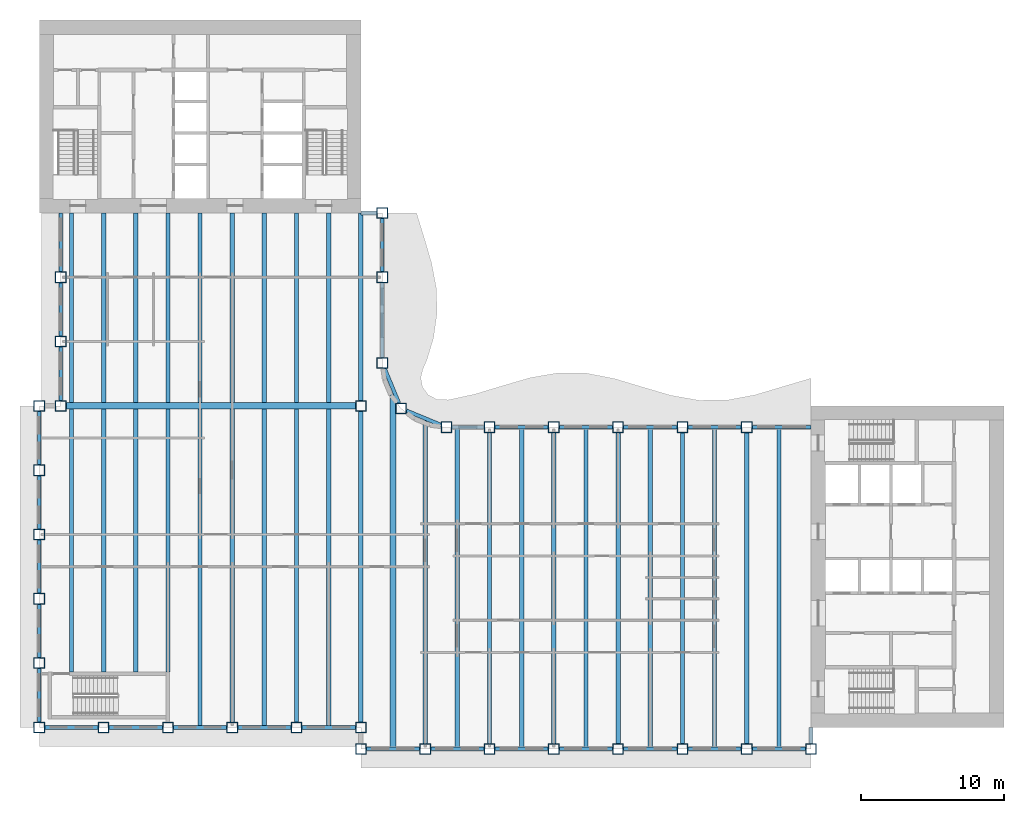
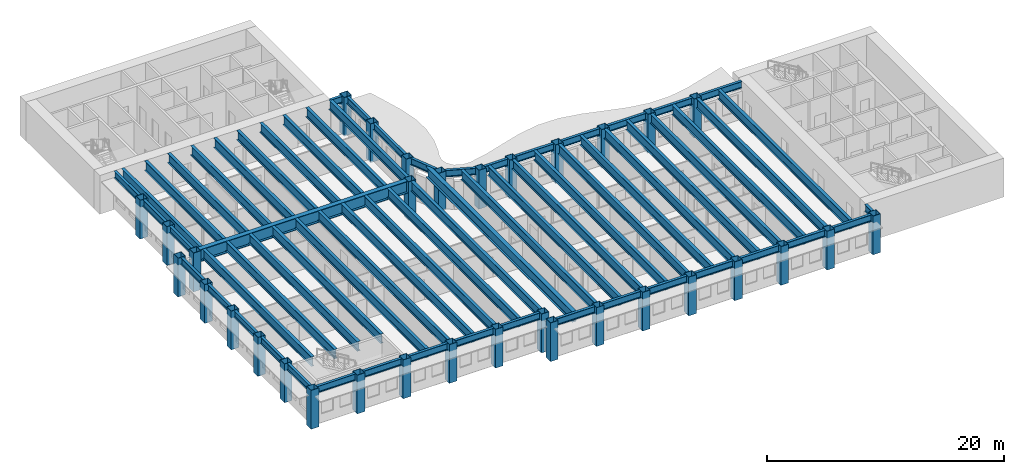
# One storey, part 1 of 16: 66 beams, 33 columns.
"""IFC4 building model written with IfcOpenShell, lengths in metres."""

from ifc_helpers import new_model, si_unit, direction, frame, origin, origin_2d, place, context, subcontext, project, spatial, hollow_rectangle, i_section, extrude, material, material_profile, profile_set, type_object, element, save


model = new_model("IFC4")

# Units and contexts
model_context = context("Model", 3, precision=1e-05, world=origin(), true_north=direction((0.0, 1.0)))
body_context = subcontext(model_context, "Body", "Model", "MODEL_VIEW")
ifc_project = project(units=[si_unit("LENGTHUNIT", "METRE"), si_unit("AREAUNIT", "SQUARE_METRE"), si_unit("VOLUMEUNIT", "CUBIC_METRE"), si_unit("PLANEANGLEUNIT", "RADIAN"), si_unit("MASSUNIT", "GRAM", prefix="KILO")], contexts=[model_context])

# Site, building, storey
site_placement = place(None, origin())
site = spatial("IfcSite", under=ifc_project, at=site_placement, CompositionType="ELEMENT")
building_placement = place(site_placement, origin())
building = spatial("IfcBuilding", under=site, at=building_placement, Name="Sennacour Bend Tower", CompositionType="ELEMENT")
storey_placement = place(building_placement, frame((0.0, 0.0, 207.0)))
storey = spatial("IfcBuildingStorey", under=building, at=storey_placement, Name="L47", CompositionType="ELEMENT", Elevation=207.0)

# Columns
ifc_material_1 = material(Name="Steel ASTM A572 Grade 50", Category="steel")
ifc_material_profile_1 = material_profile(ifc_material_1, hollow_rectangle(XDim=0.75, YDim=0.75, WallThickness=0.035888671875, at=origin_2d()), Name="Steel ASTM A572 Grade 50", Category="steel")
ifc_profile_set_1 = profile_set([ifc_material_profile_1], Name="Steel ASTM A572 Grade 50")
column_type = type_object("IfcColumnType", Name="Box column 750", PredefinedType="COLUMN", material=ifc_profile_set_1)
for number, where, z_axis, x_axis, name in (
    (1, (0.0, 0.0, -0.14990234375), (0.0, 0.0, 1.0), (1.0, 0.0, 0.0), "Perimeter column C4 L47-001"),
    (2, (0.0, 4.5, -0.14990234375), (0.0, 0.0, 1.0), (1.0, 0.0, 0.0), "Perimeter column C4 L47-002"),
    (3, (0.0, 9.0, -0.14990234375), (0.0, 0.0, 1.0), (1.0, 0.0, 0.0), "Perimeter column C4 L47-003"),
    (4, (0.0, 13.5, -0.14990234375), (0.0, 0.0, 1.0), (1.0, 0.0, 0.0), "Perimeter column C4 L47-004"),
    (5, (0.0, 18.0, -0.14990234375), (0.0, 0.0, 1.0), (1.0, 0.0, 0.0), "Perimeter column C4 L47-005"),
    (6, (0.0, 22.5, -0.14990234375), (0.0, 0.0, 1.0), (1.0, 0.0, 0.0), "Perimeter column C4 L47-006"),
    (7, (1.5, 22.5, -0.14990234375), (0.0, 0.0, 1.0), (1.0, 0.0, 0.0), "Perimeter column C4 L47-007"),
    (8, (1.5, 27.0, -0.14990234375), (0.0, 0.0, 1.0), (1.0, 0.0, 0.0), "Perimeter column C4 L47-008"),
    (9, (1.5, 31.5, -0.14990234375), (0.0, 0.0, 1.0), (1.0, 0.0, 0.0), "Perimeter column C4 L47-009"),
    (10, (4.5, 0.0, -0.14990234375), (0.0, 0.0, 1.0), (1.0, 0.0, 0.0), "Perimeter column C4 L47-010"),
    (11, (9.0, 0.0, -0.14990234375), (0.0, 0.0, 1.0), (1.0, 0.0, 0.0), "Perimeter column C4 L47-011"),
    (12, (13.5, 0.0, -0.14990234375), (0.0, 0.0, 1.0), (1.0, 0.0, 0.0), "Perimeter column C4 L47-012"),
    (13, (18.0, 0.0, -0.14990234375), (0.0, 0.0, 1.0), (1.0, 0.0, 0.0), "Perimeter column C4 L47-013"),
    (14, (22.5, -1.5, -0.14990234375), (0.0, 0.0, 1.0), (1.0, 0.0, 0.0), "Perimeter column C4 L47-014"),
    (15, (22.5, 0.0, -0.14990234375), (0.0, 0.0, 1.0), (1.0, 0.0, 0.0), "Perimeter column C4 L47-015"),
    (16, (22.5, 22.5, -0.14990234375), (0.0, 0.0, 1.0), (1.0, 0.0, 0.0), "Knuckle column C4 L47-016"),
    (17, (24.0, 25.5, -0.14990234375), (0.0, 0.0, 1.0), (1.0, 0.0, 0.0), "Perimeter column C4 L47-017"),
    (18, (24.0, 31.5, -0.14990234375), (0.0, 0.0, 1.0), (1.0, 0.0, 0.0), "Perimeter column C4 L47-018"),
    (19, (24.0, 36.0, -0.14990234375), (0.0, 0.0, 1.0), (1.0, 0.0, 0.0), "Perimeter column C4 L47-019"),
    (20, (25.318115234375, 22.318115234375, -0.14990234375), (0.0, 0.0, 1.0), (1.0, 0.0, 0.0), "Perimeter column C4 L47-020"),
    (21, (27.0, -1.5, -0.14990234375), (0.0, 0.0, 1.0), (1.0, 0.0, 0.0), "Perimeter column C4 L47-021"),
    (22, (28.5, 21.0, -0.14990234375), (0.0, 0.0, 1.0), (1.0, 0.0, 0.0), "Perimeter column C4 L47-022"),
    (23, (31.5, -1.5, -0.14990234375), (0.0, 0.0, 1.0), (1.0, 0.0, 0.0), "Perimeter column C4 L47-023"),
    (24, (31.5, 21.0, -0.14990234375), (0.0, 0.0, 1.0), (1.0, 0.0, 0.0), "Perimeter column C4 L47-024"),
    (25, (36.0, -1.5, -0.14990234375), (0.0, 0.0, 1.0), (1.0, 0.0, 0.0), "Perimeter column C4 L47-025"),
    (26, (36.0, 21.0, -0.14990234375), (0.0, 0.0, 1.0), (1.0, 0.0, 0.0), "Perimeter column C4 L47-026"),
    (27, (40.5, -1.5, -0.14990234375), (0.0, 0.0, 1.0), (1.0, 0.0, 0.0), "Perimeter column C4 L47-027"),
    (28, (40.5, 21.0, -0.14990234375), (0.0, 0.0, 1.0), (1.0, 0.0, 0.0), "Perimeter column C4 L47-028"),
    (29, (45.0, -1.5, -0.14990234375), (0.0, 0.0, 1.0), (1.0, 0.0, 0.0), "Perimeter column C4 L47-029"),
    (30, (45.0, 21.0, -0.14990234375), (0.0, 0.0, 1.0), (1.0, 0.0, 0.0), "Perimeter column C4 L47-030"),
    (31, (49.5, -1.5, -0.14990234375), (0.0, 0.0, 1.0), (1.0, 0.0, 0.0), "Perimeter column C4 L47-031"),
    (32, (49.5, 21.0, -0.14990234375), (0.0, 0.0, 1.0), (1.0, 0.0, 0.0), "Perimeter column C4 L47-032"),
    (33, (54.0, -1.5, -0.14990234375), (0.0, 0.0, 1.0), (1.0, 0.0, 0.0), "Perimeter column C4 L47-033"),
):
    element("IfcColumn", number, at=place(storey_placement, frame(where, z_axis=z_axis, x_axis=x_axis)), inside=storey, type_object=column_type, Name=name, PredefinedType="COLUMN", context=body_context, shape_type="SweptSolid", body=[
        extrude(hollow_rectangle(XDim=0.75, YDim=0.75, WallThickness=0.035888671875, at=origin_2d()), origin(), (0.0, 0.0, 1.0), 4.0),
    ])

# Beams
ifc_material_2 = material(Name="Steel ASTM A992 Grade 50", Category="steel")
ifc_material_profile_2 = material_profile(ifc_material_2, i_section(OverallWidth=0.300048828125, OverallDepth=0.97998046875, WebThickness=0.0166015625, FlangeThickness=0.026123046875, FilletRadius=0.02978515625, at=origin_2d()), Name="Steel ASTM A992 Grade 50", Category="steel")
ifc_profile_set_2 = profile_set([ifc_material_profile_2], Name="Steel ASTM A992 Grade 50")
beam_type_1 = type_object("IfcBeamType", Name="Floor beam W1000X249", PredefinedType="BEAM", material=ifc_profile_set_2)
beam_1_placement = place(storey_placement, frame((2.25, 3.875, 3.360107421875), z_axis=(0.0, 1.0, 0.0), x_axis=(-1.0, 0.0, 0.0)))
element("IfcBeam", 34, at=beam_1_placement, inside=storey, type_object=beam_type_1, Name="Floor beam FBM2 L48-001", PredefinedType="BEAM", context=body_context, shape_type="SweptSolid", body=[
    extrude(i_section(OverallWidth=0.300048828125, OverallDepth=0.97998046875, WebThickness=0.0166015625, FlangeThickness=0.026123046875, FilletRadius=0.02978515625, at=origin_2d()), origin(), (0.0, 0.0, 1.0), 18.39990234375),
])
beam_2_placement = place(storey_placement, frame((2.25, 22.72509765625, 3.360107421875), z_axis=(0.0, 1.0, 0.0), x_axis=(-1.0, 0.0, 0.0)))
element("IfcBeam", 35, at=beam_2_placement, inside=storey, type_object=beam_type_1, Name="Floor beam FBM2 L48-002", PredefinedType="BEAM", context=body_context, shape_type="SweptSolid", body=[
    extrude(i_section(OverallWidth=0.300048828125, OverallDepth=0.97998046875, WebThickness=0.0166015625, FlangeThickness=0.026123046875, FilletRadius=0.02978515625, at=origin_2d()), origin(), (0.0, 0.0, 1.0), 13.27490234375),
])
beam_3_placement = place(storey_placement, frame((4.5, 3.875, 3.360107421875), z_axis=(0.0, 1.0, 0.0), x_axis=(-1.0, 0.0, 0.0)))
element("IfcBeam", 36, at=beam_3_placement, inside=storey, type_object=beam_type_1, Name="Floor beam FBM2 L48-003", PredefinedType="BEAM", context=body_context, shape_type="SweptSolid", body=[
    extrude(i_section(OverallWidth=0.300048828125, OverallDepth=0.97998046875, WebThickness=0.0166015625, FlangeThickness=0.026123046875, FilletRadius=0.02978515625, at=origin_2d()), origin(), (0.0, 0.0, 1.0), 18.39990234375),
])
beam_4_placement = place(storey_placement, frame((4.5, 22.72509765625, 3.360107421875), z_axis=(0.0, 1.0, 0.0), x_axis=(-1.0, 0.0, 0.0)))
element("IfcBeam", 37, at=beam_4_placement, inside=storey, type_object=beam_type_1, Name="Floor beam FBM2 L48-004", PredefinedType="BEAM", context=body_context, shape_type="SweptSolid", body=[
    extrude(i_section(OverallWidth=0.300048828125, OverallDepth=0.97998046875, WebThickness=0.0166015625, FlangeThickness=0.026123046875, FilletRadius=0.02978515625, at=origin_2d()), origin(), (0.0, 0.0, 1.0), 13.27490234375),
])
beam_5_placement = place(storey_placement, frame((6.75, 3.875, 3.360107421875), z_axis=(0.0, 1.0, 0.0), x_axis=(-1.0, 0.0, 0.0)))
element("IfcBeam", 38, at=beam_5_placement, inside=storey, type_object=beam_type_1, Name="Floor beam FBM2 L48-005", PredefinedType="BEAM", context=body_context, shape_type="SweptSolid", body=[
    extrude(i_section(OverallWidth=0.300048828125, OverallDepth=0.97998046875, WebThickness=0.0166015625, FlangeThickness=0.026123046875, FilletRadius=0.02978515625, at=origin_2d()), origin(), (0.0, 0.0, 1.0), 18.39990234375),
])
beam_6_placement = place(storey_placement, frame((6.75, 22.72509765625, 3.360107421875), z_axis=(0.0, 1.0, 0.0), x_axis=(-1.0, 0.0, 0.0)))
element("IfcBeam", 39, at=beam_6_placement, inside=storey, type_object=beam_type_1, Name="Floor beam FBM2 L48-006", PredefinedType="BEAM", context=body_context, shape_type="SweptSolid", body=[
    extrude(i_section(OverallWidth=0.300048828125, OverallDepth=0.97998046875, WebThickness=0.0166015625, FlangeThickness=0.026123046875, FilletRadius=0.02978515625, at=origin_2d()), origin(), (0.0, 0.0, 1.0), 13.27490234375),
])
beam_7_placement = place(storey_placement, frame((9.0, 3.875, 3.360107421875), z_axis=(0.0, 1.0, 0.0), x_axis=(-1.0, 0.0, 0.0)))
element("IfcBeam", 40, at=beam_7_placement, inside=storey, type_object=beam_type_1, Name="Floor beam FBM2 L48-007", PredefinedType="BEAM", context=body_context, shape_type="SweptSolid", body=[
    extrude(i_section(OverallWidth=0.300048828125, OverallDepth=0.97998046875, WebThickness=0.0166015625, FlangeThickness=0.026123046875, FilletRadius=0.02978515625, at=origin_2d()), origin(), (0.0, 0.0, 1.0), 18.39990234375),
])
beam_8_placement = place(storey_placement, frame((9.0, 22.72509765625, 3.360107421875), z_axis=(0.0, 1.0, 0.0), x_axis=(-1.0, 0.0, 0.0)))
element("IfcBeam", 41, at=beam_8_placement, inside=storey, type_object=beam_type_1, Name="Floor beam FBM2 L48-008", PredefinedType="BEAM", context=body_context, shape_type="SweptSolid", body=[
    extrude(i_section(OverallWidth=0.300048828125, OverallDepth=0.97998046875, WebThickness=0.0166015625, FlangeThickness=0.026123046875, FilletRadius=0.02978515625, at=origin_2d()), origin(), (0.0, 0.0, 1.0), 13.27490234375),
])
beam_9_placement = place(storey_placement, frame((11.25, 0.12841796875, 3.360107421875), z_axis=(0.0, 1.0, 0.0), x_axis=(-1.0, 0.0, 0.0)))
element("IfcBeam", 42, at=beam_9_placement, inside=storey, type_object=beam_type_1, Name="Floor beam FBM2 L48-009", PredefinedType="BEAM", context=body_context, shape_type="SweptSolid", body=[
    extrude(i_section(OverallWidth=0.300048828125, OverallDepth=0.97998046875, WebThickness=0.0166015625, FlangeThickness=0.026123046875, FilletRadius=0.02978515625, at=origin_2d()), origin(), (0.0, 0.0, 1.0), 22.146484375),
])
beam_10_placement = place(storey_placement, frame((11.25, 22.72509765625, 3.360107421875), z_axis=(0.0, 1.0, 0.0), x_axis=(-1.0, 0.0, 0.0)))
element("IfcBeam", 43, at=beam_10_placement, inside=storey, type_object=beam_type_1, Name="Floor beam FBM2 L48-010", PredefinedType="BEAM", context=body_context, shape_type="SweptSolid", body=[
    extrude(i_section(OverallWidth=0.300048828125, OverallDepth=0.97998046875, WebThickness=0.0166015625, FlangeThickness=0.026123046875, FilletRadius=0.02978515625, at=origin_2d()), origin(), (0.0, 0.0, 1.0), 13.27490234375),
])
beam_11_placement = place(storey_placement, frame((13.5, 0.375, 3.360107421875), z_axis=(0.0, 1.0, 0.0), x_axis=(-1.0, 0.0, 0.0)))
element("IfcBeam", 44, at=beam_11_placement, inside=storey, type_object=beam_type_1, Name="Floor beam FBM2 L48-011", PredefinedType="BEAM", context=body_context, shape_type="SweptSolid", body=[
    extrude(i_section(OverallWidth=0.300048828125, OverallDepth=0.97998046875, WebThickness=0.0166015625, FlangeThickness=0.026123046875, FilletRadius=0.02978515625, at=origin_2d()), origin(), (0.0, 0.0, 1.0), 21.89990234375),
])
beam_12_placement = place(storey_placement, frame((13.5, 22.72509765625, 3.360107421875), z_axis=(0.0, 1.0, 0.0), x_axis=(-1.0, 0.0, 0.0)))
element("IfcBeam", 45, at=beam_12_placement, inside=storey, type_object=beam_type_1, Name="Floor beam FBM2 L48-012", PredefinedType="BEAM", context=body_context, shape_type="SweptSolid", body=[
    extrude(i_section(OverallWidth=0.300048828125, OverallDepth=0.97998046875, WebThickness=0.0166015625, FlangeThickness=0.026123046875, FilletRadius=0.02978515625, at=origin_2d()), origin(), (0.0, 0.0, 1.0), 13.27490234375),
])
beam_13_placement = place(storey_placement, frame((15.75, 0.12841796875, 3.360107421875), z_axis=(0.0, 1.0, 0.0), x_axis=(-1.0, 0.0, 0.0)))
element("IfcBeam", 46, at=beam_13_placement, inside=storey, type_object=beam_type_1, Name="Floor beam FBM2 L48-013", PredefinedType="BEAM", context=body_context, shape_type="SweptSolid", body=[
    extrude(i_section(OverallWidth=0.300048828125, OverallDepth=0.97998046875, WebThickness=0.0166015625, FlangeThickness=0.026123046875, FilletRadius=0.02978515625, at=origin_2d()), origin(), (0.0, 0.0, 1.0), 22.146484375),
])
beam_14_placement = place(storey_placement, frame((15.75, 22.72509765625, 3.360107421875), z_axis=(0.0, 1.0, 0.0), x_axis=(-1.0, 0.0, 0.0)))
element("IfcBeam", 47, at=beam_14_placement, inside=storey, type_object=beam_type_1, Name="Floor beam FBM2 L48-014", PredefinedType="BEAM", context=body_context, shape_type="SweptSolid", body=[
    extrude(i_section(OverallWidth=0.300048828125, OverallDepth=0.97998046875, WebThickness=0.0166015625, FlangeThickness=0.026123046875, FilletRadius=0.02978515625, at=origin_2d()), origin(), (0.0, 0.0, 1.0), 13.27490234375),
])
beam_15_placement = place(storey_placement, frame((18.0, 0.375, 3.360107421875), z_axis=(0.0, 1.0, 0.0), x_axis=(-1.0, 0.0, 0.0)))
element("IfcBeam", 48, at=beam_15_placement, inside=storey, type_object=beam_type_1, Name="Floor beam FBM2 L48-015", PredefinedType="BEAM", context=body_context, shape_type="SweptSolid", body=[
    extrude(i_section(OverallWidth=0.300048828125, OverallDepth=0.97998046875, WebThickness=0.0166015625, FlangeThickness=0.026123046875, FilletRadius=0.02978515625, at=origin_2d()), origin(), (0.0, 0.0, 1.0), 21.89990234375),
])
beam_16_placement = place(storey_placement, frame((18.0, 22.72509765625, 3.360107421875), z_axis=(0.0, 1.0, 0.0), x_axis=(-1.0, 0.0, 0.0)))
element("IfcBeam", 49, at=beam_16_placement, inside=storey, type_object=beam_type_1, Name="Floor beam FBM2 L48-016", PredefinedType="BEAM", context=body_context, shape_type="SweptSolid", body=[
    extrude(i_section(OverallWidth=0.300048828125, OverallDepth=0.97998046875, WebThickness=0.0166015625, FlangeThickness=0.026123046875, FilletRadius=0.02978515625, at=origin_2d()), origin(), (0.0, 0.0, 1.0), 13.27490234375),
])
beam_17_placement = place(storey_placement, frame((20.25, 0.12841796875, 3.360107421875), z_axis=(0.0, 1.0, 0.0), x_axis=(-1.0, 0.0, 0.0)))
element("IfcBeam", 50, at=beam_17_placement, inside=storey, type_object=beam_type_1, Name="Floor beam FBM2 L48-017", PredefinedType="BEAM", context=body_context, shape_type="SweptSolid", body=[
    extrude(i_section(OverallWidth=0.300048828125, OverallDepth=0.97998046875, WebThickness=0.0166015625, FlangeThickness=0.026123046875, FilletRadius=0.02978515625, at=origin_2d()), origin(), (0.0, 0.0, 1.0), 22.146484375),
])
beam_18_placement = place(storey_placement, frame((20.25, 22.72509765625, 3.360107421875), z_axis=(0.0, 1.0, 0.0), x_axis=(-1.0, 0.0, 0.0)))
element("IfcBeam", 51, at=beam_18_placement, inside=storey, type_object=beam_type_1, Name="Floor beam FBM2 L48-018", PredefinedType="BEAM", context=body_context, shape_type="SweptSolid", body=[
    extrude(i_section(OverallWidth=0.300048828125, OverallDepth=0.97998046875, WebThickness=0.0166015625, FlangeThickness=0.026123046875, FilletRadius=0.02978515625, at=origin_2d()), origin(), (0.0, 0.0, 1.0), 13.27490234375),
])
beam_19_placement = place(storey_placement, frame((22.5, 0.375, 3.360107421875), z_axis=(0.0, 1.0, 0.0), x_axis=(-1.0, 0.0, 0.0)))
element("IfcBeam", 52, at=beam_19_placement, inside=storey, type_object=beam_type_1, Name="Floor beam FBM2 L48-019", PredefinedType="BEAM", context=body_context, shape_type="SweptSolid", body=[
    extrude(i_section(OverallWidth=0.300048828125, OverallDepth=0.97998046875, WebThickness=0.0166015625, FlangeThickness=0.026123046875, FilletRadius=0.02978515625, at=origin_2d()), origin(), (0.0, 0.0, 1.0), 21.75),
])
beam_20_placement = place(storey_placement, frame((22.5, 22.875, 3.360107421875), z_axis=(0.0, 1.0, 0.0), x_axis=(-1.0, 0.0, 0.0)))
element("IfcBeam", 53, at=beam_20_placement, inside=storey, type_object=beam_type_1, Name="Floor beam FBM2 L48-020", PredefinedType="BEAM", context=body_context, shape_type="SweptSolid", body=[
    extrude(i_section(OverallWidth=0.300048828125, OverallDepth=0.97998046875, WebThickness=0.0166015625, FlangeThickness=0.026123046875, FilletRadius=0.02978515625, at=origin_2d()), origin(), (0.0, 0.0, 1.0), 13.125),
])
beam_21_placement = place(storey_placement, frame((27.0, -1.125, 3.360107421875), z_axis=(0.0, 1.0, 0.0), x_axis=(-1.0, 0.0, 0.0)))
element("IfcBeam", 54, at=beam_21_placement, inside=storey, type_object=beam_type_1, Name="Floor beam FBM2 L48-022", PredefinedType="BEAM", context=body_context, shape_type="SweptSolid", body=[
    extrude(i_section(OverallWidth=0.300048828125, OverallDepth=0.97998046875, WebThickness=0.0166015625, FlangeThickness=0.026123046875, FilletRadius=0.02978515625, at=origin_2d()), origin(), (0.0, 0.0, 1.0), 22.607177734375),
])
beam_22_placement = place(storey_placement, frame((29.25, -1.37158203125, 3.360107421875), z_axis=(0.0, 1.0, 0.0), x_axis=(-1.0, 0.0, 0.0)))
element("IfcBeam", 55, at=beam_22_placement, inside=storey, type_object=beam_type_1, Name="Floor beam FBM2 L48-023", PredefinedType="BEAM", context=body_context, shape_type="SweptSolid", body=[
    extrude(i_section(OverallWidth=0.300048828125, OverallDepth=0.97998046875, WebThickness=0.0166015625, FlangeThickness=0.026123046875, FilletRadius=0.02978515625, at=origin_2d()), origin(), (0.0, 0.0, 1.0), 22.2431640625),
])
beam_23_placement = place(storey_placement, frame((31.5, -1.125, 3.360107421875), z_axis=(0.0, 1.0, 0.0), x_axis=(-1.0, 0.0, 0.0)))
element("IfcBeam", 56, at=beam_23_placement, inside=storey, type_object=beam_type_1, Name="Floor beam FBM2 L48-024", PredefinedType="BEAM", context=body_context, shape_type="SweptSolid", body=[
    extrude(i_section(OverallWidth=0.300048828125, OverallDepth=0.97998046875, WebThickness=0.0166015625, FlangeThickness=0.026123046875, FilletRadius=0.02978515625, at=origin_2d()), origin(), (0.0, 0.0, 1.0), 21.75),
])
beam_24_placement = place(storey_placement, frame((33.75, -1.37158203125, 3.360107421875), z_axis=(0.0, 1.0, 0.0), x_axis=(-1.0, 0.0, 0.0)))
element("IfcBeam", 57, at=beam_24_placement, inside=storey, type_object=beam_type_1, Name="Floor beam FBM2 L48-025", PredefinedType="BEAM", context=body_context, shape_type="SweptSolid", body=[
    extrude(i_section(OverallWidth=0.300048828125, OverallDepth=0.97998046875, WebThickness=0.0166015625, FlangeThickness=0.026123046875, FilletRadius=0.02978515625, at=origin_2d()), origin(), (0.0, 0.0, 1.0), 22.2431640625),
])
beam_25_placement = place(storey_placement, frame((36.0, -1.125, 3.360107421875), z_axis=(0.0, 1.0, 0.0), x_axis=(-1.0, 0.0, 0.0)))
element("IfcBeam", 58, at=beam_25_placement, inside=storey, type_object=beam_type_1, Name="Floor beam FBM2 L48-026", PredefinedType="BEAM", context=body_context, shape_type="SweptSolid", body=[
    extrude(i_section(OverallWidth=0.300048828125, OverallDepth=0.97998046875, WebThickness=0.0166015625, FlangeThickness=0.026123046875, FilletRadius=0.02978515625, at=origin_2d()), origin(), (0.0, 0.0, 1.0), 21.75),
])
beam_26_placement = place(storey_placement, frame((38.25, -1.37158203125, 3.360107421875), z_axis=(0.0, 1.0, 0.0), x_axis=(-1.0, 0.0, 0.0)))
element("IfcBeam", 59, at=beam_26_placement, inside=storey, type_object=beam_type_1, Name="Floor beam FBM2 L48-027", PredefinedType="BEAM", context=body_context, shape_type="SweptSolid", body=[
    extrude(i_section(OverallWidth=0.300048828125, OverallDepth=0.97998046875, WebThickness=0.0166015625, FlangeThickness=0.026123046875, FilletRadius=0.02978515625, at=origin_2d()), origin(), (0.0, 0.0, 1.0), 22.2431640625),
])
beam_27_placement = place(storey_placement, frame((40.5, -1.125, 3.360107421875), z_axis=(0.0, 1.0, 0.0), x_axis=(-1.0, 0.0, 0.0)))
element("IfcBeam", 60, at=beam_27_placement, inside=storey, type_object=beam_type_1, Name="Floor beam FBM2 L48-028", PredefinedType="BEAM", context=body_context, shape_type="SweptSolid", body=[
    extrude(i_section(OverallWidth=0.300048828125, OverallDepth=0.97998046875, WebThickness=0.0166015625, FlangeThickness=0.026123046875, FilletRadius=0.02978515625, at=origin_2d()), origin(), (0.0, 0.0, 1.0), 21.75),
])
beam_28_placement = place(storey_placement, frame((42.75, -1.37158203125, 3.360107421875), z_axis=(0.0, 1.0, 0.0), x_axis=(-1.0, 0.0, 0.0)))
element("IfcBeam", 61, at=beam_28_placement, inside=storey, type_object=beam_type_1, Name="Floor beam FBM2 L48-029", PredefinedType="BEAM", context=body_context, shape_type="SweptSolid", body=[
    extrude(i_section(OverallWidth=0.300048828125, OverallDepth=0.97998046875, WebThickness=0.0166015625, FlangeThickness=0.026123046875, FilletRadius=0.02978515625, at=origin_2d()), origin(), (0.0, 0.0, 1.0), 22.2431640625),
])
beam_29_placement = place(storey_placement, frame((45.0, -1.125, 3.360107421875), z_axis=(0.0, 1.0, 0.0), x_axis=(-1.0, 0.0, 0.0)))
element("IfcBeam", 62, at=beam_29_placement, inside=storey, type_object=beam_type_1, Name="Floor beam FBM2 L48-030", PredefinedType="BEAM", context=body_context, shape_type="SweptSolid", body=[
    extrude(i_section(OverallWidth=0.300048828125, OverallDepth=0.97998046875, WebThickness=0.0166015625, FlangeThickness=0.026123046875, FilletRadius=0.02978515625, at=origin_2d()), origin(), (0.0, 0.0, 1.0), 21.75),
])
beam_30_placement = place(storey_placement, frame((47.25, -1.37158203125, 3.360107421875), z_axis=(0.0, 1.0, 0.0), x_axis=(-1.0, 0.0, 0.0)))
element("IfcBeam", 63, at=beam_30_placement, inside=storey, type_object=beam_type_1, Name="Floor beam FBM2 L48-031", PredefinedType="BEAM", context=body_context, shape_type="SweptSolid", body=[
    extrude(i_section(OverallWidth=0.300048828125, OverallDepth=0.97998046875, WebThickness=0.0166015625, FlangeThickness=0.026123046875, FilletRadius=0.02978515625, at=origin_2d()), origin(), (0.0, 0.0, 1.0), 22.2431640625),
])
beam_31_placement = place(storey_placement, frame((49.5, -1.125, 3.360107421875), z_axis=(0.0, 1.0, 0.0), x_axis=(-1.0, 0.0, 0.0)))
element("IfcBeam", 64, at=beam_31_placement, inside=storey, type_object=beam_type_1, Name="Floor beam FBM2 L48-032", PredefinedType="BEAM", context=body_context, shape_type="SweptSolid", body=[
    extrude(i_section(OverallWidth=0.300048828125, OverallDepth=0.97998046875, WebThickness=0.0166015625, FlangeThickness=0.026123046875, FilletRadius=0.02978515625, at=origin_2d()), origin(), (0.0, 0.0, 1.0), 21.75),
])
beam_32_placement = place(storey_placement, frame((51.75, -1.37158203125, 3.360107421875), z_axis=(0.0, 1.0, 0.0), x_axis=(-1.0, 0.0, 0.0)))
element("IfcBeam", 65, at=beam_32_placement, inside=storey, type_object=beam_type_1, Name="Floor beam FBM2 L48-033", PredefinedType="BEAM", context=body_context, shape_type="SweptSolid", body=[
    extrude(i_section(OverallWidth=0.300048828125, OverallDepth=0.97998046875, WebThickness=0.0166015625, FlangeThickness=0.026123046875, FilletRadius=0.02978515625, at=origin_2d()), origin(), (0.0, 0.0, 1.0), 22.2431640625),
])
ifc_material_profile_3 = material_profile(ifc_material_1, i_section(OverallWidth=0.449951171875, OverallDepth=1.25, WebThickness=0.028076171875, FlangeThickness=0.050048828125, at=origin_2d()), Name="Steel ASTM A572 Grade 50", Category="steel")
ifc_profile_set_3 = profile_set([ifc_material_profile_3], Name="Steel ASTM A572 Grade 50")
beam_type_2 = type_object("IfcBeamType", Name="Knuckle girder 1250", PredefinedType="USERDEFINED", material=ifc_profile_set_3)
beam_33_placement = place(storey_placement, frame((1.875, 22.5, 3.22509765625), z_axis=(1.0, 0.0, 0.0), x_axis=(0.0, 1.0, 0.0)))
element("IfcBeam", 66, at=beam_33_placement, inside=storey, type_object=beam_type_2, Name="Knuckle girder GK L48-001", ObjectType="KNUCKLE GIRDER", PredefinedType="USERDEFINED", context=body_context, shape_type="SweptSolid", body=[
    extrude(i_section(OverallWidth=0.449951171875, OverallDepth=1.25, WebThickness=0.028076171875, FlangeThickness=0.050048828125, at=origin_2d()), origin(), (0.0, 0.0, 1.0), 20.25),
])
ifc_material_profile_4 = material_profile(ifc_material_2, i_section(OverallWidth=0.40087890625, OverallDepth=1.090087890625, WebThickness=0.01806640625, FlangeThickness=0.031005859375, FilletRadius=0.02001953125, at=origin_2d()), Name="Steel ASTM A992 Grade 50", Category="steel")
ifc_profile_set_4 = profile_set([ifc_material_profile_4], Name="Steel ASTM A992 Grade 50")
beam_type_3 = type_object("IfcBeamType", Name="Notch floor beam W1100X343", PredefinedType="BEAM", material=ifc_profile_set_4)
beam_34_placement = place(storey_placement, frame((24.75, -1.37158203125, 3.304931640625), z_axis=(0.0, 1.0, 0.0), x_axis=(-1.0, 0.0, 0.0)))
element("IfcBeam", 67, at=beam_34_placement, inside=storey, type_object=beam_type_3, Name="Floor beam FBM4 L48-021", PredefinedType="BEAM", context=body_context, shape_type="SweptSolid", body=[
    extrude(i_section(OverallWidth=0.40087890625, OverallDepth=1.090087890625, WebThickness=0.01806640625, FlangeThickness=0.031005859375, FilletRadius=0.02001953125, at=origin_2d()), origin(), (0.0, 0.0, 1.0), 24.72509765625),
])
ifc_material_profile_5 = material_profile(ifc_material_2, i_section(OverallWidth=0.257080078125, OverallDepth=0.693115234375, WebThickness=0.014404296875, FlangeThickness=0.023681640625, FilletRadius=0.015380859375, at=origin_2d()), Name="Steel ASTM A992 Grade 50", Category="steel")
ifc_profile_set_5 = profile_set([ifc_material_profile_5], Name="Steel ASTM A992 Grade 50")
beam_type_4 = type_object("IfcBeamType", Name="Spandrel beam W690X170", PredefinedType="SPANDREL", material=ifc_profile_set_5)
for number, where, z_axis, x_axis, name in (
    (68, (22.125, 0.0, 3.50341796875), (-1.0, 0.0, 0.0), (0.0, -1.0, 0.0), "Spandrel beam SP5 L48-001"),
    (69, (17.625, 0.0, 3.50341796875), (-1.0, 0.0, 0.0), (0.0, -1.0, 0.0), "Spandrel beam SP5 L48-002"),
    (70, (13.125, 0.0, 3.50341796875), (-1.0, 0.0, 0.0), (0.0, -1.0, 0.0), "Spandrel beam SP5 L48-003"),
    (71, (8.625, 0.0, 3.50341796875), (-1.0, 0.0, 0.0), (0.0, -1.0, 0.0), "Spandrel beam SP5 L48-004"),
    (72, (4.125, 0.0, 3.50341796875), (-1.0, 0.0, 0.0), (0.0, -1.0, 0.0), "Spandrel beam SP5 L48-005"),
    (73, (0.0, 0.375, 3.50341796875), (0.0, 1.0, 0.0), (-1.0, 0.0, 0.0), "Spandrel beam SP5 L48-006"),
    (74, (0.0, 4.875, 3.50341796875), (0.0, 1.0, 0.0), (-1.0, 0.0, 0.0), "Spandrel beam SP5 L48-007"),
    (75, (0.0, 9.375, 3.50341796875), (0.0, 1.0, 0.0), (-1.0, 0.0, 0.0), "Spandrel beam SP5 L48-008"),
    (76, (0.0, 13.875, 3.50341796875), (0.0, 1.0, 0.0), (-1.0, 0.0, 0.0), "Spandrel beam SP5 L48-009"),
    (77, (0.0, 18.375, 3.50341796875), (0.0, 1.0, 0.0), (-1.0, 0.0, 0.0), "Spandrel beam SP5 L48-010"),
    (78, (1.5, 22.875, 3.50341796875), (0.0, 1.0, 0.0), (-1.0, 0.0, 0.0), "Spandrel beam SP5 L48-011"),
    (79, (1.5, 27.375, 3.50341796875), (0.0, 1.0, 0.0), (-1.0, 0.0, 0.0), "Spandrel beam SP5 L48-012"),
):
    element("IfcBeam", number, at=place(storey_placement, frame(where, z_axis=z_axis, x_axis=x_axis)), inside=storey, type_object=beam_type_4, Name=name, PredefinedType="SPANDREL", context=body_context, shape_type="SweptSolid", body=[
        extrude(i_section(OverallWidth=0.257080078125, OverallDepth=0.693115234375, WebThickness=0.014404296875, FlangeThickness=0.023681640625, FilletRadius=0.015380859375, at=origin_2d()), origin(), (0.0, 0.0, 1.0), 3.75),
    ])
beam_35_placement = place(storey_placement, frame((1.5, 31.875, 3.50341796875), z_axis=(0.0, 1.0, 0.0), x_axis=(-1.0, 0.0, 0.0)))
element("IfcBeam", 80, at=beam_35_placement, inside=storey, type_object=beam_type_4, Name="Spandrel beam SP5 L48-013", PredefinedType="SPANDREL", context=body_context, shape_type="SweptSolid", body=[
    extrude(i_section(OverallWidth=0.257080078125, OverallDepth=0.693115234375, WebThickness=0.014404296875, FlangeThickness=0.023681640625, FilletRadius=0.015380859375, at=origin_2d()), origin(), (0.0, 0.0, 1.0), 4.125),
])
beam_36_placement = place(storey_placement, frame((22.5, 36.0, 3.50341796875), z_axis=(1.0, 0.0, 0.0), x_axis=(0.0, 1.0, 0.0)))
element("IfcBeam", 81, at=beam_36_placement, inside=storey, type_object=beam_type_4, Name="Spandrel beam SP5 L48-014", PredefinedType="SPANDREL", context=body_context, shape_type="SweptSolid", body=[
    extrude(i_section(OverallWidth=0.257080078125, OverallDepth=0.693115234375, WebThickness=0.014404296875, FlangeThickness=0.023681640625, FilletRadius=0.015380859375, at=origin_2d()), origin(), (0.0, 0.0, 1.0), 1.125),
])
beam_37_placement = place(storey_placement, frame((24.0, 35.625, 3.50341796875), z_axis=(0.0, -1.0, 0.0), x_axis=(1.0, 0.0, 0.0)))
element("IfcBeam", 82, at=beam_37_placement, inside=storey, type_object=beam_type_4, Name="Spandrel beam SP5 L48-015", PredefinedType="SPANDREL", context=body_context, shape_type="SweptSolid", body=[
    extrude(i_section(OverallWidth=0.257080078125, OverallDepth=0.693115234375, WebThickness=0.014404296875, FlangeThickness=0.023681640625, FilletRadius=0.015380859375, at=origin_2d()), origin(), (0.0, 0.0, 1.0), 3.75),
])
beam_38_placement = place(storey_placement, frame((24.0, 31.125, 3.50341796875), z_axis=(0.0, -1.0, 0.0), x_axis=(1.0, 0.0, 0.0)))
element("IfcBeam", 83, at=beam_38_placement, inside=storey, type_object=beam_type_4, Name="Spandrel beam SP5 L48-016", PredefinedType="SPANDREL", context=body_context, shape_type="SweptSolid", body=[
    extrude(i_section(OverallWidth=0.257080078125, OverallDepth=0.693115234375, WebThickness=0.014404296875, FlangeThickness=0.023681640625, FilletRadius=0.015380859375, at=origin_2d()), origin(), (0.0, 0.0, 1.0), 5.25),
])
for number, where, z_axis, x_axis, name in (
    (84, (24.1552734375, 25.125, 3.50341796875), (0.382684913195, -0.92387891913, 0.0), (0.92387891913, 0.382684913195, 0.0), "Spandrel beam SP5 L48-017"),
    (85, (25.693115234375, 22.16259765625, 3.50341796875), (0.92387891913, -0.382684913195, 0.0), (0.382684913195, 0.92387891913, 0.0), "Spandrel beam SP5 L48-018"),
):
    element("IfcBeam", number, at=place(storey_placement, frame(where, z_axis=z_axis, x_axis=x_axis)), inside=storey, type_object=beam_type_4, Name=name, PredefinedType="SPANDREL", context=body_context, shape_type="SweptSolid", body=[
        extrude(i_section(OverallWidth=0.257080078125, OverallDepth=0.693115234375, WebThickness=0.014404296875, FlangeThickness=0.023681640625, FilletRadius=0.015380859375, at=origin_2d()), origin(), (0.0, 0.0, 1.0), 2.63232421875),
    ])
beam_39_placement = place(storey_placement, frame((28.875, 21.0, 3.50341796875), z_axis=(1.0, 0.0, 0.0), x_axis=(0.0, 1.0, 0.0)))
element("IfcBeam", 86, at=beam_39_placement, inside=storey, type_object=beam_type_4, Name="Spandrel beam SP5 L48-019", PredefinedType="SPANDREL", context=body_context, shape_type="SweptSolid", body=[
    extrude(i_section(OverallWidth=0.257080078125, OverallDepth=0.693115234375, WebThickness=0.014404296875, FlangeThickness=0.023681640625, FilletRadius=0.015380859375, at=origin_2d()), origin(), (0.0, 0.0, 1.0), 2.25),
])
for number, where, z_axis, x_axis, name in (
    (87, (31.875, 21.0, 3.50341796875), (1.0, 0.0, 0.0), (0.0, 1.0, 0.0), "Spandrel beam SP5 L48-020"),
    (88, (36.375, 21.0, 3.50341796875), (1.0, 0.0, 0.0), (0.0, 1.0, 0.0), "Spandrel beam SP5 L48-021"),
    (89, (40.875, 21.0, 3.50341796875), (1.0, 0.0, 0.0), (0.0, 1.0, 0.0), "Spandrel beam SP5 L48-022"),
    (90, (45.375, 21.0, 3.50341796875), (1.0, 0.0, 0.0), (0.0, 1.0, 0.0), "Spandrel beam SP5 L48-023"),
):
    element("IfcBeam", number, at=place(storey_placement, frame(where, z_axis=z_axis, x_axis=x_axis)), inside=storey, type_object=beam_type_4, Name=name, PredefinedType="SPANDREL", context=body_context, shape_type="SweptSolid", body=[
        extrude(i_section(OverallWidth=0.257080078125, OverallDepth=0.693115234375, WebThickness=0.014404296875, FlangeThickness=0.023681640625, FilletRadius=0.015380859375, at=origin_2d()), origin(), (0.0, 0.0, 1.0), 3.75),
    ])
beam_40_placement = place(storey_placement, frame((49.875, 21.0, 3.50341796875), z_axis=(1.0, 0.0, 0.0), x_axis=(0.0, 1.0, 0.0)))
element("IfcBeam", 91, at=beam_40_placement, inside=storey, type_object=beam_type_4, Name="Spandrel beam SP5 L48-024", PredefinedType="SPANDREL", context=body_context, shape_type="SweptSolid", body=[
    extrude(i_section(OverallWidth=0.257080078125, OverallDepth=0.693115234375, WebThickness=0.014404296875, FlangeThickness=0.023681640625, FilletRadius=0.015380859375, at=origin_2d()), origin(), (0.0, 0.0, 1.0), 4.125),
])
beam_41_placement = place(storey_placement, frame((54.0, 0.0, 3.50341796875), z_axis=(0.0, -1.0, 0.0), x_axis=(1.0, 0.0, 0.0)))
element("IfcBeam", 92, at=beam_41_placement, inside=storey, type_object=beam_type_4, Name="Spandrel beam SP5 L48-025", PredefinedType="SPANDREL", context=body_context, shape_type="SweptSolid", body=[
    extrude(i_section(OverallWidth=0.257080078125, OverallDepth=0.693115234375, WebThickness=0.014404296875, FlangeThickness=0.023681640625, FilletRadius=0.015380859375, at=origin_2d()), origin(), (0.0, 0.0, 1.0), 1.125),
])
for number, where, z_axis, x_axis, name in (
    (93, (53.625, -1.5, 3.50341796875), (-1.0, 0.0, 0.0), (0.0, -1.0, 0.0), "Spandrel beam SP5 L48-026"),
    (94, (49.125, -1.5, 3.50341796875), (-1.0, 0.0, 0.0), (0.0, -1.0, 0.0), "Spandrel beam SP5 L48-027"),
    (95, (44.625, -1.5, 3.50341796875), (-1.0, 0.0, 0.0), (0.0, -1.0, 0.0), "Spandrel beam SP5 L48-028"),
    (96, (40.125, -1.5, 3.50341796875), (-1.0, 0.0, 0.0), (0.0, -1.0, 0.0), "Spandrel beam SP5 L48-029"),
    (97, (35.625, -1.5, 3.50341796875), (-1.0, 0.0, 0.0), (0.0, -1.0, 0.0), "Spandrel beam SP5 L48-030"),
    (98, (31.125, -1.5, 3.50341796875), (-1.0, 0.0, 0.0), (0.0, -1.0, 0.0), "Spandrel beam SP5 L48-031"),
    (99, (26.625, -1.5, 3.50341796875), (-1.0, 0.0, 0.0), (0.0, -1.0, 0.0), "Spandrel beam SP5 L48-032"),
):
    element("IfcBeam", number, at=place(storey_placement, frame(where, z_axis=z_axis, x_axis=x_axis)), inside=storey, type_object=beam_type_4, Name=name, PredefinedType="SPANDREL", context=body_context, shape_type="SweptSolid", body=[
        extrude(i_section(OverallWidth=0.257080078125, OverallDepth=0.693115234375, WebThickness=0.014404296875, FlangeThickness=0.023681640625, FilletRadius=0.015380859375, at=origin_2d()), origin(), (0.0, 0.0, 1.0), 3.75),
    ])

save(model, "model.ifc")
